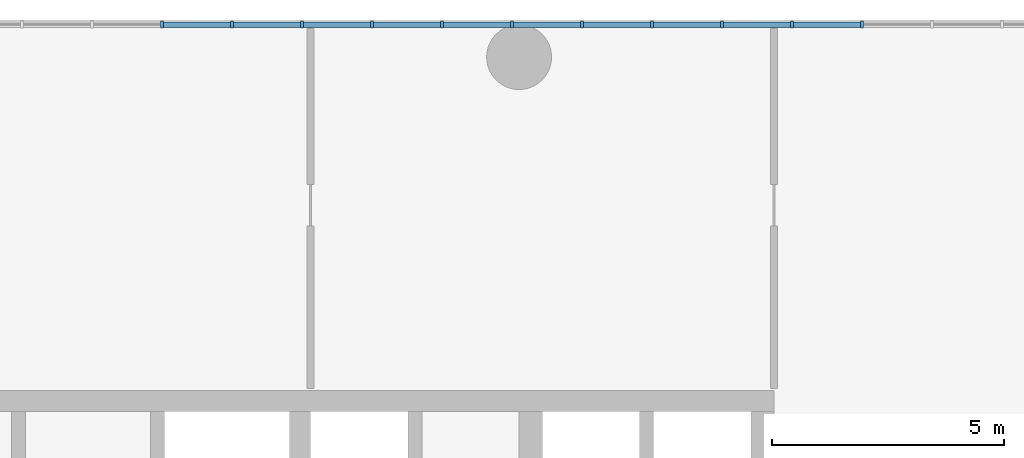
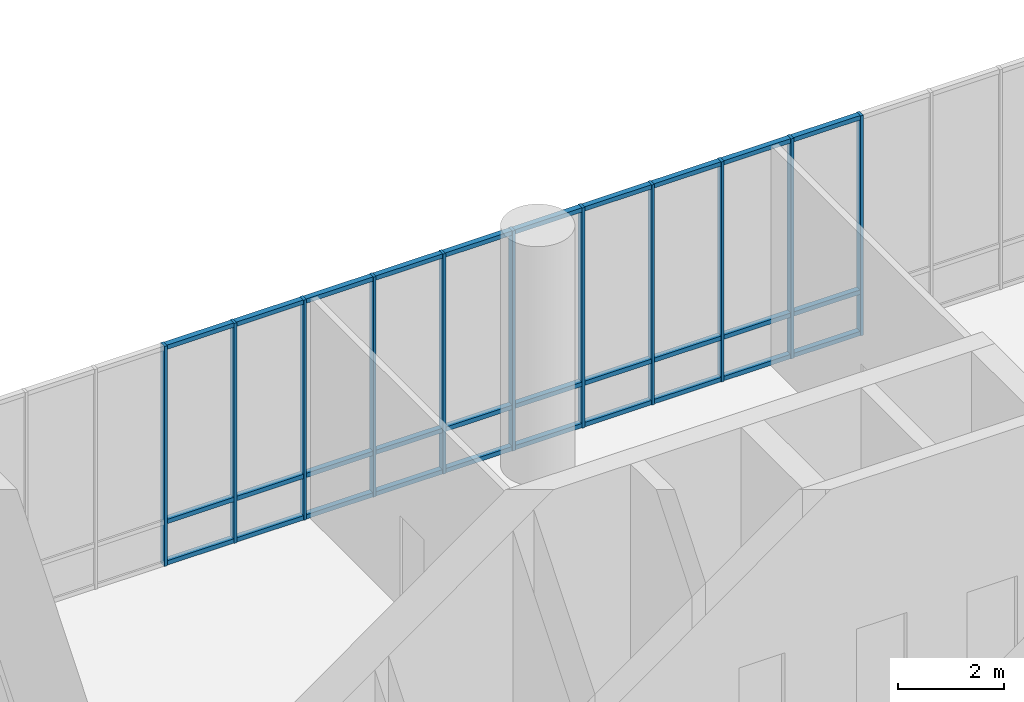
# One storey, part 13 of 28: 41 members, 1 element without a shape of its own.
"""IFC4 building model written with IfcOpenShell, lengths in metres."""

from ifc_helpers import new_model, si_unit, direction, frame, origin, origin_2d, place, context, subcontext, project, spatial, rectangle, extrude, material, layer, layer_set, material_profile, profile_set, type_object, element, aggregate, save


model = new_model("IFC4")

# Units and contexts
model_context = context("Model", 3, precision=1e-05, world=origin(), true_north=direction((0.0, 1.0)))
body_context = subcontext(model_context, "Body", "Model", "MODEL_VIEW")
ifc_project = project(units=[si_unit("LENGTHUNIT", "METRE"), si_unit("AREAUNIT", "SQUARE_METRE"), si_unit("VOLUMEUNIT", "CUBIC_METRE"), si_unit("PLANEANGLEUNIT", "RADIAN"), si_unit("MASSUNIT", "GRAM", prefix="KILO")], contexts=[model_context])

# Site, building, storey
site_placement = place(None, origin())
site = spatial("IfcSite", under=ifc_project, at=site_placement, CompositionType="ELEMENT")
building_placement = place(site_placement, origin())
building = spatial("IfcBuilding", under=site, at=building_placement, Name="Torana Hotel and Residences", CompositionType="ELEMENT")
storey_placement = place(building_placement, frame((0.0, 0.0, 7.0)))
storey = spatial("IfcBuildingStorey", under=building, at=storey_placement, Name="L01", CompositionType="ELEMENT", Elevation=7.0)

# Curtain wall, members
ifc_material_1 = material(Name="Dark anodised aluminium", Category="aluminium")
ifc_layer = layer(ifc_material_1, 0.14990234375)
ifc_layer_set = layer_set([ifc_layer], Name="CW5 PODIUM UPPER UNITISED CURTAIN WALL")
curtain_wall_type = type_object("IfcCurtainWallType", Name="CW5 PODIUM UPPER UNITISED CURTAIN WALL", PredefinedType="NOTDEFINED", material=ifc_layer_set)
curtain_wall_placement = place(storey_placement, origin())
curtain_wall = element("IfcCurtainWall", 1, at=curtain_wall_placement, inside=storey, type_object=curtain_wall_type, Name="Curtain wall CW5 L01 e1.10", PredefinedType="NOTDEFINED")
ifc_material_2 = material(Name="Dark anodised aluminium", Category="aluminium")
ifc_material_profile_1 = material_profile(ifc_material_2, rectangle(XDim=0.14990234375, YDim=0.06005859375, at=origin_2d()), Name="CW5 MULLION 60x150")
ifc_profile_set_1 = profile_set([ifc_material_profile_1], Name="Dark anodised aluminium")
member_type_1 = type_object("IfcMemberType", Name="CW5 MULLION 60x150", PredefinedType="MULLION", material=ifc_profile_set_1)
member_1_placement = place(storey_placement, frame((31.400146484375, 7.89990234375, 0.0), z_axis=(0.0, 0.0, 1.0), x_axis=(0.0, -1.0, 0.0)))
member_1 = element("IfcMember", 2, at=member_1_placement, type_object=member_type_1, Name="CW5 mullion 8", PredefinedType="MULLION", context=body_context, shape_type="SweptSolid", body=[
    extrude(rectangle(XDim=0.14990234375, YDim=0.06005859375, at=origin_2d()), origin(), (0.0, 0.0, 1.0), 5.050048828125),
])
member_2_placement = place(storey_placement, frame((29.8896484375, 7.89990234375, 0.0), z_axis=(0.0, 0.0, 1.0), x_axis=(0.0, -1.0, 0.0)))
member_2 = element("IfcMember", 3, at=member_2_placement, type_object=member_type_1, Name="CW5 mullion 9", PredefinedType="MULLION", context=body_context, shape_type="SweptSolid", body=[
    extrude(rectangle(XDim=0.14990234375, YDim=0.06005859375, at=origin_2d()), origin(), (0.0, 0.0, 1.0), 5.050048828125),
])
member_3_placement = place(storey_placement, frame((28.37890625, 7.89990234375, 0.0), z_axis=(0.0, 0.0, 1.0), x_axis=(0.0, -1.0, 0.0)))
member_3 = element("IfcMember", 4, at=member_3_placement, type_object=member_type_1, Name="CW5 mullion 10", PredefinedType="MULLION", context=body_context, shape_type="SweptSolid", body=[
    extrude(rectangle(XDim=0.14990234375, YDim=0.06005859375, at=origin_2d()), origin(), (0.0, 0.0, 1.0), 5.050048828125),
])
member_4_placement = place(storey_placement, frame((26.8681640625, 7.89990234375, 0.0), z_axis=(0.0, 0.0, 1.0), x_axis=(0.0, -1.0, 0.0)))
member_4 = element("IfcMember", 5, at=member_4_placement, type_object=member_type_1, Name="CW5 mullion 11", PredefinedType="MULLION", context=body_context, shape_type="SweptSolid", body=[
    extrude(rectangle(XDim=0.14990234375, YDim=0.06005859375, at=origin_2d()), origin(), (0.0, 0.0, 1.0), 5.050048828125),
])
member_5_placement = place(storey_placement, frame((25.357421875, 7.89990234375, 0.0), z_axis=(0.0, 0.0, 1.0), x_axis=(0.0, -1.0, 0.0)))
member_5 = element("IfcMember", 6, at=member_5_placement, type_object=member_type_1, Name="CW5 mullion 12", PredefinedType="MULLION", context=body_context, shape_type="SweptSolid", body=[
    extrude(rectangle(XDim=0.14990234375, YDim=0.06005859375, at=origin_2d()), origin(), (0.0, 0.0, 1.0), 5.050048828125),
])
member_6_placement = place(storey_placement, frame((23.8466796875, 7.89990234375, 0.0), z_axis=(0.0, 0.0, 1.0), x_axis=(0.0, -1.0, 0.0)))
member_6 = element("IfcMember", 7, at=member_6_placement, type_object=member_type_1, Name="CW5 mullion 13", PredefinedType="MULLION", context=body_context, shape_type="SweptSolid", body=[
    extrude(rectangle(XDim=0.14990234375, YDim=0.06005859375, at=origin_2d()), origin(), (0.0, 0.0, 1.0), 5.050048828125),
])
member_7_placement = place(storey_placement, frame((22.3359375, 7.89990234375, 0.0), z_axis=(0.0, 0.0, 1.0), x_axis=(0.0, -1.0, 0.0)))
member_7 = element("IfcMember", 8, at=member_7_placement, type_object=member_type_1, Name="CW5 mullion 14", PredefinedType="MULLION", context=body_context, shape_type="SweptSolid", body=[
    extrude(rectangle(XDim=0.14990234375, YDim=0.06005859375, at=origin_2d()), origin(), (0.0, 0.0, 1.0), 5.050048828125),
])
member_8_placement = place(storey_placement, frame((20.8251953125, 7.89990234375, 0.0), z_axis=(0.0, 0.0, 1.0), x_axis=(0.0, -1.0, 0.0)))
member_8 = element("IfcMember", 9, at=member_8_placement, type_object=member_type_1, Name="CW5 mullion 15", PredefinedType="MULLION", context=body_context, shape_type="SweptSolid", body=[
    extrude(rectangle(XDim=0.14990234375, YDim=0.06005859375, at=origin_2d()), origin(), (0.0, 0.0, 1.0), 5.050048828125),
])
member_9_placement = place(storey_placement, frame((19.314453125, 7.89990234375, 0.0), z_axis=(0.0, 0.0, 1.0), x_axis=(0.0, -1.0, 0.0)))
member_9 = element("IfcMember", 10, at=member_9_placement, type_object=member_type_1, Name="CW5 mullion 16", PredefinedType="MULLION", context=body_context, shape_type="SweptSolid", body=[
    extrude(rectangle(XDim=0.14990234375, YDim=0.06005859375, at=origin_2d()), origin(), (0.0, 0.0, 1.0), 5.050048828125),
])
member_10_placement = place(storey_placement, frame((17.8037109375, 7.89990234375, 0.0), z_axis=(0.0, 0.0, 1.0), x_axis=(0.0, -1.0, 0.0)))
member_10 = element("IfcMember", 11, at=member_10_placement, type_object=member_type_1, Name="CW5 mullion 17", PredefinedType="MULLION", context=body_context, shape_type="SweptSolid", body=[
    extrude(rectangle(XDim=0.14990234375, YDim=0.06005859375, at=origin_2d()), origin(), (0.0, 0.0, 1.0), 5.050048828125),
])
member_11_placement = place(storey_placement, frame((16.29296875, 7.89990234375, 0.0), z_axis=(0.0, 0.0, 1.0), x_axis=(0.0, -1.0, 0.0)))
member_11 = element("IfcMember", 12, at=member_11_placement, type_object=member_type_1, Name="CW5 mullion 18", PredefinedType="MULLION", context=body_context, shape_type="SweptSolid", body=[
    extrude(rectangle(XDim=0.14990234375, YDim=0.06005859375, at=origin_2d()), origin(), (0.0, 0.0, 1.0), 5.050048828125),
])
ifc_material_3 = material(Name="Dark anodised aluminium", Category="aluminium")
ifc_material_profile_2 = material_profile(ifc_material_3, rectangle(XDim=0.1201171875, YDim=0.10009765625, at=origin_2d()), Name="CW5 TRANSOM 120x100")
ifc_profile_set_2 = profile_set([ifc_material_profile_2], Name="Dark anodised aluminium")
member_type_2 = type_object("IfcMemberType", Name="CW5 TRANSOM 120x100", PredefinedType="USERDEFINED", material=ifc_profile_set_2)
member_12_placement = place(storey_placement, frame((31.370361328125, 7.89990234375, 0.050048828125), z_axis=(-1.0, 0.0, 0.0), x_axis=(0.0, -1.0, 0.0)))
member_12 = element("IfcMember", 13, at=member_12_placement, type_object=member_type_2, Name="CW5 transom 8.1", ObjectType="TRANSOM", PredefinedType="USERDEFINED", context=body_context, shape_type="SweptSolid", body=[
    extrude(rectangle(XDim=0.1201171875, YDim=0.10009765625, at=origin_2d()), origin(), (0.0, 0.0, 1.0), 1.450927734375),
])
member_13_placement = place(storey_placement, frame((31.370361328125, 7.89990234375, 1.0), z_axis=(-1.0, 0.0, 0.0), x_axis=(0.0, -1.0, 0.0)))
member_13 = element("IfcMember", 14, at=member_13_placement, type_object=member_type_2, Name="CW5 transom 8.2", ObjectType="TRANSOM", PredefinedType="USERDEFINED", context=body_context, shape_type="SweptSolid", body=[
    extrude(rectangle(XDim=0.1201171875, YDim=0.10009765625, at=origin_2d()), origin(), (0.0, 0.0, 1.0), 1.450927734375),
])
member_14_placement = place(storey_placement, frame((31.370361328125, 7.89990234375, 5.0), z_axis=(-1.0, 0.0, 0.0), x_axis=(0.0, -1.0, 0.0)))
member_14 = element("IfcMember", 15, at=member_14_placement, type_object=member_type_2, Name="CW5 transom 8.3", ObjectType="TRANSOM", PredefinedType="USERDEFINED", context=body_context, shape_type="SweptSolid", body=[
    extrude(rectangle(XDim=0.1201171875, YDim=0.10009765625, at=origin_2d()), origin(), (0.0, 0.0, 1.0), 1.450927734375),
])
member_15_placement = place(storey_placement, frame((29.859619140625, 7.89990234375, 0.050048828125), z_axis=(-1.0, 0.0, 0.0), x_axis=(0.0, -1.0, 0.0)))
member_15 = element("IfcMember", 16, at=member_15_placement, type_object=member_type_2, Name="CW5 transom 9.1", ObjectType="TRANSOM", PredefinedType="USERDEFINED", context=body_context, shape_type="SweptSolid", body=[
    extrude(rectangle(XDim=0.1201171875, YDim=0.10009765625, at=origin_2d()), origin(), (0.0, 0.0, 1.0), 1.450927734375),
])
member_16_placement = place(storey_placement, frame((29.859619140625, 7.89990234375, 1.0), z_axis=(-1.0, 0.0, 0.0), x_axis=(0.0, -1.0, 0.0)))
member_16 = element("IfcMember", 17, at=member_16_placement, type_object=member_type_2, Name="CW5 transom 9.2", ObjectType="TRANSOM", PredefinedType="USERDEFINED", context=body_context, shape_type="SweptSolid", body=[
    extrude(rectangle(XDim=0.1201171875, YDim=0.10009765625, at=origin_2d()), origin(), (0.0, 0.0, 1.0), 1.450927734375),
])
member_17_placement = place(storey_placement, frame((29.859619140625, 7.89990234375, 5.0), z_axis=(-1.0, 0.0, 0.0), x_axis=(0.0, -1.0, 0.0)))
member_17 = element("IfcMember", 18, at=member_17_placement, type_object=member_type_2, Name="CW5 transom 9.3", ObjectType="TRANSOM", PredefinedType="USERDEFINED", context=body_context, shape_type="SweptSolid", body=[
    extrude(rectangle(XDim=0.1201171875, YDim=0.10009765625, at=origin_2d()), origin(), (0.0, 0.0, 1.0), 1.450927734375),
])
member_18_placement = place(storey_placement, frame((28.348876953125, 7.89990234375, 0.050048828125), z_axis=(-1.0, 0.0, 0.0), x_axis=(0.0, -1.0, 0.0)))
member_18 = element("IfcMember", 19, at=member_18_placement, type_object=member_type_2, Name="CW5 transom 10.1", ObjectType="TRANSOM", PredefinedType="USERDEFINED", context=body_context, shape_type="SweptSolid", body=[
    extrude(rectangle(XDim=0.1201171875, YDim=0.10009765625, at=origin_2d()), origin(), (0.0, 0.0, 1.0), 1.450927734375),
])
member_19_placement = place(storey_placement, frame((28.348876953125, 7.89990234375, 1.0), z_axis=(-1.0, 0.0, 0.0), x_axis=(0.0, -1.0, 0.0)))
member_19 = element("IfcMember", 20, at=member_19_placement, type_object=member_type_2, Name="CW5 transom 10.2", ObjectType="TRANSOM", PredefinedType="USERDEFINED", context=body_context, shape_type="SweptSolid", body=[
    extrude(rectangle(XDim=0.1201171875, YDim=0.10009765625, at=origin_2d()), origin(), (0.0, 0.0, 1.0), 1.450927734375),
])
member_20_placement = place(storey_placement, frame((28.348876953125, 7.89990234375, 5.0), z_axis=(-1.0, 0.0, 0.0), x_axis=(0.0, -1.0, 0.0)))
member_20 = element("IfcMember", 21, at=member_20_placement, type_object=member_type_2, Name="CW5 transom 10.3", ObjectType="TRANSOM", PredefinedType="USERDEFINED", context=body_context, shape_type="SweptSolid", body=[
    extrude(rectangle(XDim=0.1201171875, YDim=0.10009765625, at=origin_2d()), origin(), (0.0, 0.0, 1.0), 1.450927734375),
])
member_21_placement = place(storey_placement, frame((26.838134765625, 7.89990234375, 0.050048828125), z_axis=(-1.0, 0.0, 0.0), x_axis=(0.0, -1.0, 0.0)))
member_21 = element("IfcMember", 22, at=member_21_placement, type_object=member_type_2, Name="CW5 transom 11.1", ObjectType="TRANSOM", PredefinedType="USERDEFINED", context=body_context, shape_type="SweptSolid", body=[
    extrude(rectangle(XDim=0.1201171875, YDim=0.10009765625, at=origin_2d()), origin(), (0.0, 0.0, 1.0), 1.45068359375),
])
member_22_placement = place(storey_placement, frame((26.838134765625, 7.89990234375, 1.0), z_axis=(-1.0, 0.0, 0.0), x_axis=(0.0, -1.0, 0.0)))
member_22 = element("IfcMember", 23, at=member_22_placement, type_object=member_type_2, Name="CW5 transom 11.2", ObjectType="TRANSOM", PredefinedType="USERDEFINED", context=body_context, shape_type="SweptSolid", body=[
    extrude(rectangle(XDim=0.1201171875, YDim=0.10009765625, at=origin_2d()), origin(), (0.0, 0.0, 1.0), 1.45068359375),
])
member_23_placement = place(storey_placement, frame((26.838134765625, 7.89990234375, 5.0), z_axis=(-1.0, 0.0, 0.0), x_axis=(0.0, -1.0, 0.0)))
member_23 = element("IfcMember", 24, at=member_23_placement, type_object=member_type_2, Name="CW5 transom 11.3", ObjectType="TRANSOM", PredefinedType="USERDEFINED", context=body_context, shape_type="SweptSolid", body=[
    extrude(rectangle(XDim=0.1201171875, YDim=0.10009765625, at=origin_2d()), origin(), (0.0, 0.0, 1.0), 1.45068359375),
])
member_24_placement = place(storey_placement, frame((25.327392578125, 7.89990234375, 0.050048828125), z_axis=(-1.0, 0.0, 0.0), x_axis=(0.0, -1.0, 0.0)))
member_24 = element("IfcMember", 25, at=member_24_placement, type_object=member_type_2, Name="CW5 transom 12.1", ObjectType="TRANSOM", PredefinedType="USERDEFINED", context=body_context, shape_type="SweptSolid", body=[
    extrude(rectangle(XDim=0.1201171875, YDim=0.10009765625, at=origin_2d()), origin(), (0.0, 0.0, 1.0), 1.45068359375),
])
member_25_placement = place(storey_placement, frame((25.327392578125, 7.89990234375, 1.0), z_axis=(-1.0, 0.0, 0.0), x_axis=(0.0, -1.0, 0.0)))
member_25 = element("IfcMember", 26, at=member_25_placement, type_object=member_type_2, Name="CW5 transom 12.2", ObjectType="TRANSOM", PredefinedType="USERDEFINED", context=body_context, shape_type="SweptSolid", body=[
    extrude(rectangle(XDim=0.1201171875, YDim=0.10009765625, at=origin_2d()), origin(), (0.0, 0.0, 1.0), 1.45068359375),
])
member_26_placement = place(storey_placement, frame((25.327392578125, 7.89990234375, 5.0), z_axis=(-1.0, 0.0, 0.0), x_axis=(0.0, -1.0, 0.0)))
member_26 = element("IfcMember", 27, at=member_26_placement, type_object=member_type_2, Name="CW5 transom 12.3", ObjectType="TRANSOM", PredefinedType="USERDEFINED", context=body_context, shape_type="SweptSolid", body=[
    extrude(rectangle(XDim=0.1201171875, YDim=0.10009765625, at=origin_2d()), origin(), (0.0, 0.0, 1.0), 1.45068359375),
])
member_27_placement = place(storey_placement, frame((23.816650390625, 7.89990234375, 0.050048828125), z_axis=(-1.0, 0.0, 0.0), x_axis=(0.0, -1.0, 0.0)))
member_27 = element("IfcMember", 28, at=member_27_placement, type_object=member_type_2, Name="CW5 transom 13.1", ObjectType="TRANSOM", PredefinedType="USERDEFINED", context=body_context, shape_type="SweptSolid", body=[
    extrude(rectangle(XDim=0.1201171875, YDim=0.10009765625, at=origin_2d()), origin(), (0.0, 0.0, 1.0), 1.45068359375),
])
member_28_placement = place(storey_placement, frame((23.816650390625, 7.89990234375, 1.0), z_axis=(-1.0, 0.0, 0.0), x_axis=(0.0, -1.0, 0.0)))
member_28 = element("IfcMember", 29, at=member_28_placement, type_object=member_type_2, Name="CW5 transom 13.2", ObjectType="TRANSOM", PredefinedType="USERDEFINED", context=body_context, shape_type="SweptSolid", body=[
    extrude(rectangle(XDim=0.1201171875, YDim=0.10009765625, at=origin_2d()), origin(), (0.0, 0.0, 1.0), 1.45068359375),
])
member_29_placement = place(storey_placement, frame((23.816650390625, 7.89990234375, 5.0), z_axis=(-1.0, 0.0, 0.0), x_axis=(0.0, -1.0, 0.0)))
member_29 = element("IfcMember", 30, at=member_29_placement, type_object=member_type_2, Name="CW5 transom 13.3", ObjectType="TRANSOM", PredefinedType="USERDEFINED", context=body_context, shape_type="SweptSolid", body=[
    extrude(rectangle(XDim=0.1201171875, YDim=0.10009765625, at=origin_2d()), origin(), (0.0, 0.0, 1.0), 1.45068359375),
])
member_30_placement = place(storey_placement, frame((22.305908203125, 7.89990234375, 0.050048828125), z_axis=(-1.0, 0.0, 0.0), x_axis=(0.0, -1.0, 0.0)))
member_30 = element("IfcMember", 31, at=member_30_placement, type_object=member_type_2, Name="CW5 transom 14.1", ObjectType="TRANSOM", PredefinedType="USERDEFINED", context=body_context, shape_type="SweptSolid", body=[
    extrude(rectangle(XDim=0.1201171875, YDim=0.10009765625, at=origin_2d()), origin(), (0.0, 0.0, 1.0), 1.45068359375),
])
member_31_placement = place(storey_placement, frame((22.305908203125, 7.89990234375, 1.0), z_axis=(-1.0, 0.0, 0.0), x_axis=(0.0, -1.0, 0.0)))
member_31 = element("IfcMember", 32, at=member_31_placement, type_object=member_type_2, Name="CW5 transom 14.2", ObjectType="TRANSOM", PredefinedType="USERDEFINED", context=body_context, shape_type="SweptSolid", body=[
    extrude(rectangle(XDim=0.1201171875, YDim=0.10009765625, at=origin_2d()), origin(), (0.0, 0.0, 1.0), 1.45068359375),
])
member_32_placement = place(storey_placement, frame((22.305908203125, 7.89990234375, 5.0), z_axis=(-1.0, 0.0, 0.0), x_axis=(0.0, -1.0, 0.0)))
member_32 = element("IfcMember", 33, at=member_32_placement, type_object=member_type_2, Name="CW5 transom 14.3", ObjectType="TRANSOM", PredefinedType="USERDEFINED", context=body_context, shape_type="SweptSolid", body=[
    extrude(rectangle(XDim=0.1201171875, YDim=0.10009765625, at=origin_2d()), origin(), (0.0, 0.0, 1.0), 1.45068359375),
])
member_33_placement = place(storey_placement, frame((20.795166015625, 7.89990234375, 0.050048828125), z_axis=(-1.0, 0.0, 0.0), x_axis=(0.0, -1.0, 0.0)))
member_33 = element("IfcMember", 34, at=member_33_placement, type_object=member_type_2, Name="CW5 transom 15.1", ObjectType="TRANSOM", PredefinedType="USERDEFINED", context=body_context, shape_type="SweptSolid", body=[
    extrude(rectangle(XDim=0.1201171875, YDim=0.10009765625, at=origin_2d()), origin(), (0.0, 0.0, 1.0), 1.45068359375),
])
member_34_placement = place(storey_placement, frame((20.795166015625, 7.89990234375, 1.0), z_axis=(-1.0, 0.0, 0.0), x_axis=(0.0, -1.0, 0.0)))
member_34 = element("IfcMember", 35, at=member_34_placement, type_object=member_type_2, Name="CW5 transom 15.2", ObjectType="TRANSOM", PredefinedType="USERDEFINED", context=body_context, shape_type="SweptSolid", body=[
    extrude(rectangle(XDim=0.1201171875, YDim=0.10009765625, at=origin_2d()), origin(), (0.0, 0.0, 1.0), 1.45068359375),
])
member_35_placement = place(storey_placement, frame((20.795166015625, 7.89990234375, 5.0), z_axis=(-1.0, 0.0, 0.0), x_axis=(0.0, -1.0, 0.0)))
member_35 = element("IfcMember", 36, at=member_35_placement, type_object=member_type_2, Name="CW5 transom 15.3", ObjectType="TRANSOM", PredefinedType="USERDEFINED", context=body_context, shape_type="SweptSolid", body=[
    extrude(rectangle(XDim=0.1201171875, YDim=0.10009765625, at=origin_2d()), origin(), (0.0, 0.0, 1.0), 1.45068359375),
])
member_36_placement = place(storey_placement, frame((19.284423828125, 7.89990234375, 0.050048828125), z_axis=(-1.0, 0.0, 0.0), x_axis=(0.0, -1.0, 0.0)))
member_36 = element("IfcMember", 37, at=member_36_placement, type_object=member_type_2, Name="CW5 transom 16.1", ObjectType="TRANSOM", PredefinedType="USERDEFINED", context=body_context, shape_type="SweptSolid", body=[
    extrude(rectangle(XDim=0.1201171875, YDim=0.10009765625, at=origin_2d()), origin(), (0.0, 0.0, 1.0), 1.45068359375),
])
member_37_placement = place(storey_placement, frame((19.284423828125, 7.89990234375, 1.0), z_axis=(-1.0, 0.0, 0.0), x_axis=(0.0, -1.0, 0.0)))
member_37 = element("IfcMember", 38, at=member_37_placement, type_object=member_type_2, Name="CW5 transom 16.2", ObjectType="TRANSOM", PredefinedType="USERDEFINED", context=body_context, shape_type="SweptSolid", body=[
    extrude(rectangle(XDim=0.1201171875, YDim=0.10009765625, at=origin_2d()), origin(), (0.0, 0.0, 1.0), 1.45068359375),
])
member_38_placement = place(storey_placement, frame((19.284423828125, 7.89990234375, 5.0), z_axis=(-1.0, 0.0, 0.0), x_axis=(0.0, -1.0, 0.0)))
member_38 = element("IfcMember", 39, at=member_38_placement, type_object=member_type_2, Name="CW5 transom 16.3", ObjectType="TRANSOM", PredefinedType="USERDEFINED", context=body_context, shape_type="SweptSolid", body=[
    extrude(rectangle(XDim=0.1201171875, YDim=0.10009765625, at=origin_2d()), origin(), (0.0, 0.0, 1.0), 1.45068359375),
])
member_39_placement = place(storey_placement, frame((17.773681640625, 7.89990234375, 0.050048828125), z_axis=(-1.0, 0.0, 0.0), x_axis=(0.0, -1.0, 0.0)))
member_39 = element("IfcMember", 40, at=member_39_placement, type_object=member_type_2, Name="CW5 transom 17.1", ObjectType="TRANSOM", PredefinedType="USERDEFINED", context=body_context, shape_type="SweptSolid", body=[
    extrude(rectangle(XDim=0.1201171875, YDim=0.10009765625, at=origin_2d()), origin(), (0.0, 0.0, 1.0), 1.45068359375),
])
member_40_placement = place(storey_placement, frame((17.773681640625, 7.89990234375, 1.0), z_axis=(-1.0, 0.0, 0.0), x_axis=(0.0, -1.0, 0.0)))
member_40 = element("IfcMember", 41, at=member_40_placement, type_object=member_type_2, Name="CW5 transom 17.2", ObjectType="TRANSOM", PredefinedType="USERDEFINED", context=body_context, shape_type="SweptSolid", body=[
    extrude(rectangle(XDim=0.1201171875, YDim=0.10009765625, at=origin_2d()), origin(), (0.0, 0.0, 1.0), 1.45068359375),
])
member_41_placement = place(storey_placement, frame((17.773681640625, 7.89990234375, 5.0), z_axis=(-1.0, 0.0, 0.0), x_axis=(0.0, -1.0, 0.0)))
member_41 = element("IfcMember", 42, at=member_41_placement, type_object=member_type_2, Name="CW5 transom 17.3", ObjectType="TRANSOM", PredefinedType="USERDEFINED", context=body_context, shape_type="SweptSolid", body=[
    extrude(rectangle(XDim=0.1201171875, YDim=0.10009765625, at=origin_2d()), origin(), (0.0, 0.0, 1.0), 1.45068359375),
])
aggregate(curtain_wall, [member_1, member_2, member_3, member_4, member_5, member_6, member_7, member_8, member_9, member_10, member_11, member_12, member_13, member_14, member_15, member_16, member_17, member_18, member_19, member_20, member_21, member_22, member_23, member_24, member_25, member_26, member_27, member_28, member_29, member_30, member_31, member_32, member_33, member_34, member_35, member_36, member_37, member_38, member_39, member_40, member_41])

save(model, "model.ifc")
